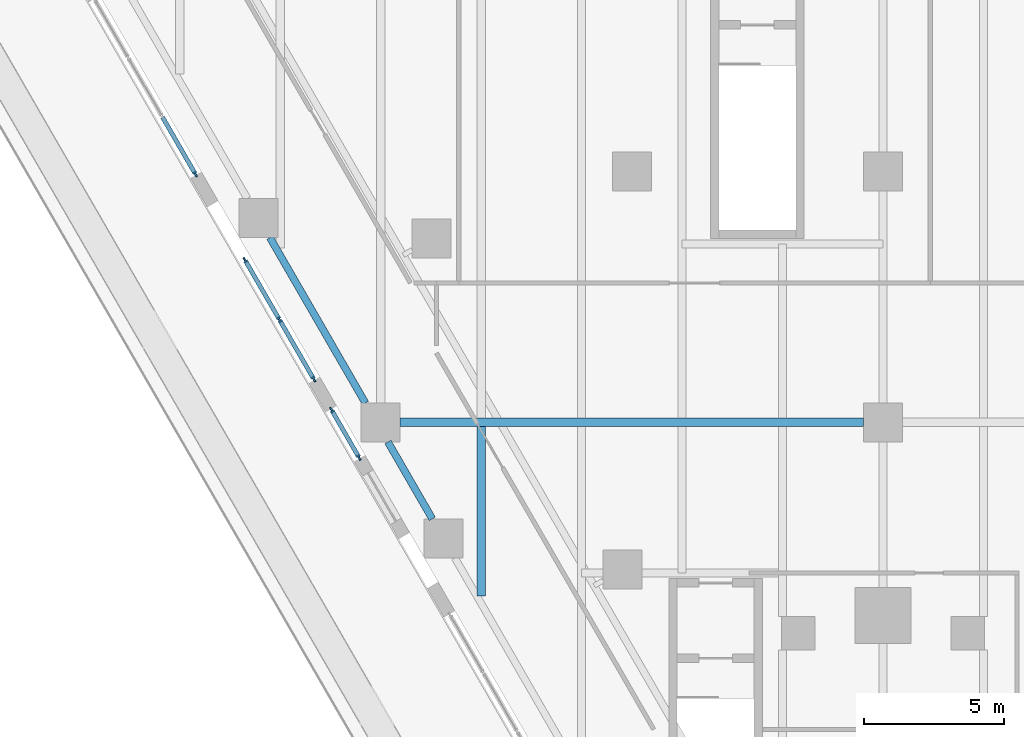
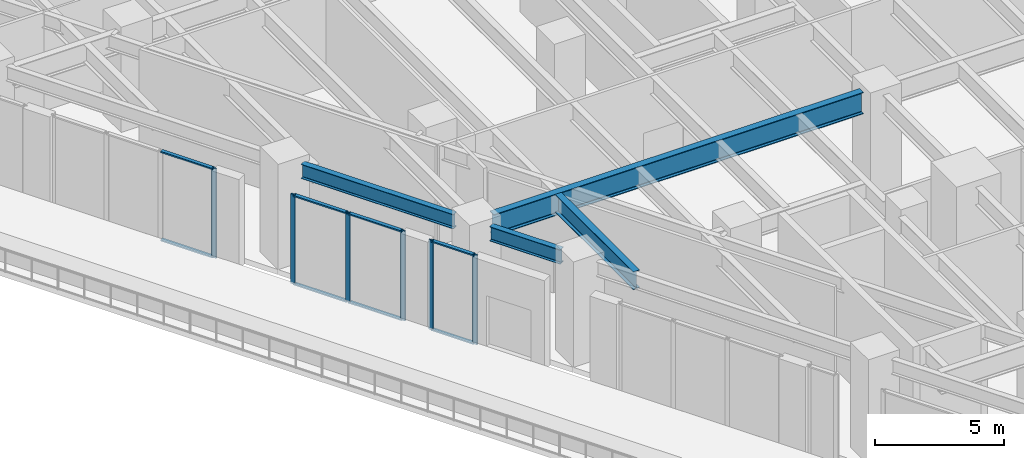
# One storey, part 4 of 31: 14 members, 4 beams, 3 elements without a shape of their own.
"""IFC4 building model written with IfcOpenShell, lengths in metres."""

from ifc_helpers import new_model, si_unit, direction, frame, origin, origin_2d, place, context, subcontext, project, spatial, rectangle, i_section, extrude, material, material_profile, profile_set, type_object, element, aggregate, save


model = new_model("IFC4")

# Units and contexts
model_context = context("Model", 3, precision=1e-05, world=origin(), true_north=direction((0.0, 1.0)))
body_context = subcontext(model_context, "Body", "Model", "MODEL_VIEW")
ifc_project = project(units=[si_unit("LENGTHUNIT", "METRE"), si_unit("AREAUNIT", "SQUARE_METRE"), si_unit("VOLUMEUNIT", "CUBIC_METRE"), si_unit("PLANEANGLEUNIT", "RADIAN"), si_unit("MASSUNIT", "GRAM", prefix="KILO")], contexts=[model_context])

# Site, building, storey
site_placement = place(None, origin())
site = spatial("IfcSite", under=ifc_project, at=site_placement, CompositionType="ELEMENT")
building_placement = place(site_placement, origin())
building = spatial("IfcBuilding", under=site, at=building_placement, Name="Aloe Facet Convention Tower", CompositionType="ELEMENT")
storey_placement = place(building_placement, frame((0.0, 0.0, 25.0)))
storey = spatial("IfcBuildingStorey", under=building, at=storey_placement, Name="L04", CompositionType="ELEMENT", Elevation=25.0)

# Curtain wall, member
ifc_material_1 = material(Name="Aluminium, anodised", Category="aluminium")
curtain_wall_type = type_object("IfcCurtainWallType", Name="EV-CW-HALL", PredefinedType="USERDEFINED", material=ifc_material_1)
curtain_wall_1_placement = place(storey_placement, origin())
curtain_wall_1 = element("IfcCurtainWall", 1, at=curtain_wall_1_placement, inside=storey, type_object=curtain_wall_type, Name="CW-L04-W06", ObjectType="UNITISED HALL GLAZING", PredefinedType="USERDEFINED")
ifc_material_2 = material(Name="Aluminium, anodised", Category="aluminium")
ifc_material_profile_1 = material_profile(ifc_material_2, rectangle(XDim=0.06494140625, YDim=0.199951171875, at=origin_2d()), Name="AL 65x200")
ifc_profile_set_1 = profile_set([ifc_material_profile_1], Name="Aluminium, anodised")
member_type_1 = type_object("IfcMemberType", Name="EV-MULL-HALL", PredefinedType="MULLION", material=ifc_profile_set_1)
member_1_placement = place(storey_placement, frame((55.36181640625, 107.895263671875, -0.25), z_axis=(0.0, 0.0, 1.0), x_axis=(0.866025403758, 0.500000000045, 0.0)))
member_1 = element("IfcMember", 2, at=member_1_placement, type_object=member_type_1, Name="CW-L04-W06 mullion 4", PredefinedType="MULLION", context=body_context, shape_type="SweptSolid", body=[
    extrude(rectangle(XDim=0.06494140625, YDim=0.199951171875, at=origin_2d()), origin(), (0.0, 0.0, 1.0), 4.262451171875),
])

# Curtain wall, members
curtain_wall_2_placement = place(storey_placement, origin())
curtain_wall_2 = element("IfcCurtainWall", 3, at=curtain_wall_2_placement, inside=storey, type_object=curtain_wall_type, Name="CW-L04-W08", ObjectType="UNITISED HALL GLAZING", PredefinedType="USERDEFINED")
member_2_placement = place(storey_placement, frame((57.135986328125, 104.822021484375, -0.25), z_axis=(0.0, 0.0, 1.0), x_axis=(0.866025403767, 0.50000000003, 0.0)))
member_2 = element("IfcMember", 4, at=member_2_placement, type_object=member_type_1, Name="CW-L04-W08 mullion 1", PredefinedType="MULLION", context=body_context, shape_type="SweptSolid", body=[
    extrude(rectangle(XDim=0.06494140625, YDim=0.199951171875, at=origin_2d()), origin(), (0.0, 0.0, 1.0), 4.262451171875),
])
member_3_placement = place(storey_placement, frame((58.37060546875, 102.683837890625, -0.25), z_axis=(0.0, 0.0, 1.0), x_axis=(0.866025403767, 0.50000000003, 0.0)))
member_3 = element("IfcMember", 5, at=member_3_placement, type_object=member_type_1, Name="CW-L04-W08 mullion 2", PredefinedType="MULLION", context=body_context, shape_type="SweptSolid", body=[
    extrude(rectangle(XDim=0.06494140625, YDim=0.199951171875, at=origin_2d()), origin(), (0.0, 0.0, 1.0), 4.262451171875),
])
member_4_placement = place(storey_placement, frame((59.605224609375, 100.54541015625, -0.25), z_axis=(0.0, 0.0, 1.0), x_axis=(0.866025403767, 0.50000000003, 0.0)))
member_4 = element("IfcMember", 6, at=member_4_placement, type_object=member_type_1, Name="CW-L04-W08 mullion 3", PredefinedType="MULLION", context=body_context, shape_type="SweptSolid", body=[
    extrude(rectangle(XDim=0.06494140625, YDim=0.199951171875, at=origin_2d()), origin(), (0.0, 0.0, 1.0), 4.262451171875),
])

curtain_wall_3_placement = place(storey_placement, origin())
curtain_wall_3 = element("IfcCurtainWall", 7, at=curtain_wall_3_placement, inside=storey, type_object=curtain_wall_type, Name="CW-L04-W10A", ObjectType="UNITISED HALL GLAZING", PredefinedType="USERDEFINED")
member_5_placement = place(storey_placement, frame((60.237548828125, 99.449951171875, -0.25), z_axis=(0.0, 0.0, 1.0), x_axis=(0.866025403854, 0.499999999879, 0.0)))
member_5 = element("IfcMember", 8, at=member_5_placement, type_object=member_type_1, Name="CW-L04-W10A mullion 1", PredefinedType="MULLION", context=body_context, shape_type="SweptSolid", body=[
    extrude(rectangle(XDim=0.06494140625, YDim=0.199951171875, at=origin_2d()), origin(), (0.0, 0.0, 1.0), 4.262451171875),
])
member_6_placement = place(storey_placement, frame((61.226806640625, 97.736572265625, -0.25), z_axis=(0.0, 0.0, 1.0), x_axis=(0.866025403854, 0.499999999879, 0.0)))
member_6 = element("IfcMember", 9, at=member_6_placement, type_object=member_type_1, Name="CW-L04-W10A mullion 2", PredefinedType="MULLION", context=body_context, shape_type="SweptSolid", body=[
    extrude(rectangle(XDim=0.06494140625, YDim=0.199951171875, at=origin_2d()), origin(), (0.0, 0.0, 1.0), 4.262451171875),
])

# Member
ifc_material_3 = material(Name="Aluminium, anodised", Category="aluminium")
ifc_material_profile_2 = material_profile(ifc_material_3, rectangle(XDim=0.159912109375, YDim=0.06494140625, at=origin_2d()), Name="AL 160x65")
ifc_profile_set_2 = profile_set([ifc_material_profile_2], Name="Aluminium, anodised")
member_type_2 = type_object("IfcMemberType", Name="EV-TRAN-HALL", PredefinedType="USERDEFINED", material=ifc_profile_set_2)
member_7_placement = place(storey_placement, frame((54.1796875, 109.9423828125, -0.217529296875), z_axis=(0.500024603663, -0.866011198387, 0.0), x_axis=(0.866011198387, 0.500024603663, 0.0)))
member_7 = element("IfcMember", 10, at=member_7_placement, type_object=member_type_2, Name="CW-L04-W06 transom 3.1", ObjectType="TRANSOM", PredefinedType="USERDEFINED", context=body_context, shape_type="SweptSolid", body=[
    extrude(rectangle(XDim=0.159912109375, YDim=0.06494140625, at=origin_2d()), origin(), (0.0, 0.0, 1.0), 2.33154296875),
])

member_8_placement = place(storey_placement, frame((54.1796875, 109.9423828125, 3.97998046875), z_axis=(0.500024603663, -0.866011198387, 0.0), x_axis=(0.866011198387, 0.500024603663, 0.0)))
member_8 = element("IfcMember", 11, at=member_8_placement, type_object=member_type_2, Name="CW-L04-W06 transom 3.2", ObjectType="TRANSOM", PredefinedType="USERDEFINED", context=body_context, shape_type="SweptSolid", body=[
    extrude(rectangle(XDim=0.159912109375, YDim=0.06494140625, at=origin_2d()), origin(), (0.0, 0.0, 1.0), 2.33154296875),
])

aggregate(curtain_wall_1, [member_1, member_7, member_8])

member_9_placement = place(storey_placement, frame((57.15234375, 104.7939453125, -0.217529296875), z_axis=(0.499951017432, -0.866053682036, 0.0), x_axis=(0.866053682036, 0.499951017432, 0.0)))
member_9 = element("IfcMember", 12, at=member_9_placement, type_object=member_type_2, Name="CW-L04-W08 transom 1.1", ObjectType="TRANSOM", PredefinedType="USERDEFINED", context=body_context, shape_type="SweptSolid", body=[
    extrude(rectangle(XDim=0.159912109375, YDim=0.06494140625, at=origin_2d()), origin(), (0.0, 0.0, 1.0), 2.404052734375),
])

member_10_placement = place(storey_placement, frame((57.15234375, 104.7939453125, 3.97998046875), z_axis=(0.499951017432, -0.866053682036, 0.0), x_axis=(0.866053682036, 0.499951017432, 0.0)))
member_10 = element("IfcMember", 13, at=member_10_placement, type_object=member_type_2, Name="CW-L04-W08 transom 1.2", ObjectType="TRANSOM", PredefinedType="USERDEFINED", context=body_context, shape_type="SweptSolid", body=[
    extrude(rectangle(XDim=0.159912109375, YDim=0.06494140625, at=origin_2d()), origin(), (0.0, 0.0, 1.0), 2.404052734375),
])

member_11_placement = place(storey_placement, frame((58.38671875, 102.65576171875, -0.217529296875), z_axis=(0.500027182209, -0.86600970956, 0.0), x_axis=(0.86600970956, 0.500027182209, 0.0)))
member_11 = element("IfcMember", 14, at=member_11_placement, type_object=member_type_2, Name="CW-L04-W08 transom 2.1", ObjectType="TRANSOM", PredefinedType="USERDEFINED", context=body_context, shape_type="SweptSolid", body=[
    extrude(rectangle(XDim=0.159912109375, YDim=0.06494140625, at=origin_2d()), origin(), (0.0, 0.0, 1.0), 2.404052734375),
])

member_12_placement = place(storey_placement, frame((58.38671875, 102.65576171875, 3.97998046875), z_axis=(0.500027182209, -0.86600970956, 0.0), x_axis=(0.86600970956, 0.500027182209, 0.0)))
member_12 = element("IfcMember", 15, at=member_12_placement, type_object=member_type_2, Name="CW-L04-W08 transom 2.2", ObjectType="TRANSOM", PredefinedType="USERDEFINED", context=body_context, shape_type="SweptSolid", body=[
    extrude(rectangle(XDim=0.159912109375, YDim=0.06494140625, at=origin_2d()), origin(), (0.0, 0.0, 1.0), 2.404052734375),
])

aggregate(curtain_wall_2, [member_2, member_3, member_4, member_9, member_10, member_11, member_12])

member_13_placement = place(storey_placement, frame((60.25390625, 99.421875, -0.217529296875), z_axis=(0.499954417993, -0.866051718969, 0.0), x_axis=(0.866051718969, 0.499954417993, 0.0)))
member_13 = element("IfcMember", 16, at=member_13_placement, type_object=member_type_2, Name="CW-L04-W10A transom 1.1", ObjectType="TRANSOM", PredefinedType="USERDEFINED", context=body_context, shape_type="SweptSolid", body=[
    extrude(rectangle(XDim=0.159912109375, YDim=0.06494140625, at=origin_2d()), origin(), (0.0, 0.0, 1.0), 1.913330078125),
])

member_14_placement = place(storey_placement, frame((60.25390625, 99.421875, 3.97998046875), z_axis=(0.499954417993, -0.866051718969, 0.0), x_axis=(0.866051718969, 0.499954417993, 0.0)))
member_14 = element("IfcMember", 17, at=member_14_placement, type_object=member_type_2, Name="CW-L04-W10A transom 1.2", ObjectType="TRANSOM", PredefinedType="USERDEFINED", context=body_context, shape_type="SweptSolid", body=[
    extrude(rectangle(XDim=0.159912109375, YDim=0.06494140625, at=origin_2d()), origin(), (0.0, 0.0, 1.0), 1.913330078125),
])

aggregate(curtain_wall_3, [member_5, member_6, member_13, member_14])

# Beams
ifc_material_4 = material(Name="Steel S355", Category="steel")
ifc_material_profile_3 = material_profile(ifc_material_4, i_section(OverallWidth=0.305419921875, OverallDepth=1.02587890625, WebThickness=0.02001953125, FlangeThickness=0.031005859375, FilletRadius=0.030029296875, at=origin_2d()), Name="UB 1016x305x349")
ifc_profile_set_3 = profile_set([ifc_material_profile_3], Name="Steel S355")
beam_type_1 = type_object("IfcBeamType", Name="SF-B-UB1016x305x349", PredefinedType="BEAM", material=ifc_profile_set_3)
beam_1_placement = place(storey_placement, frame((62.699951171875, 99.0, 4.18701171875), z_axis=(1.0, 0.0, 0.0), x_axis=(0.0, 1.0, 0.0)))
element("IfcBeam", 18, at=beam_1_placement, inside=storey, type_object=beam_type_1, Name="Floor beam FB-L05-022", PredefinedType="BEAM", context=body_context, shape_type="SweptSolid", body=[
    extrude(i_section(OverallWidth=0.305419921875, OverallDepth=1.02587890625, WebThickness=0.02001953125, FlangeThickness=0.031005859375, FilletRadius=0.030029296875, at=origin_2d()), origin(), (0.0, 0.0, 1.0), 16.60009765625),
])
ifc_material_5 = material(Name="Steel S355", Category="steel")
ifc_material_profile_4 = material_profile(ifc_material_5, i_section(OverallWidth=0.25439453125, OverallDepth=0.6875, WebThickness=0.01318359375, FlangeThickness=0.02099609375, FilletRadius=0.01513671875, at=origin_2d()), Name="UB 686x254x152")
ifc_profile_set_4 = profile_set([ifc_material_profile_4], Name="Steel S355")
beam_type_2 = type_object("IfcBeamType", Name="SF-B-UB686x254x152", PredefinedType="BEAM", material=ifc_profile_set_4)
beam_2_placement = place(storey_placement, frame((61.449951171875, 99.699951171875, 4.356201171875), z_axis=(-0.499980899108, 0.866036431408, 0.0), x_axis=(-0.866036431408, -0.499980899108, 0.0)))
element("IfcBeam", 19, at=beam_2_placement, inside=storey, type_object=beam_type_2, Name="Floor beam FB-L05-006", PredefinedType="BEAM", context=body_context, shape_type="SweptSolid", body=[
    extrude(i_section(OverallWidth=0.25439453125, OverallDepth=0.6875, WebThickness=0.01318359375, FlangeThickness=0.02099609375, FilletRadius=0.01513671875, at=origin_2d()), origin(), (0.0, 0.0, 1.0), 6.841552734375),
])
beam_3_placement = place(storey_placement, frame((63.848876953125, 95.544921875, 4.356201171875), z_axis=(-0.499977104415, 0.866038622153, 0.0), x_axis=(-0.866038622153, -0.499977104415, 0.0)))
element("IfcBeam", 20, at=beam_3_placement, inside=storey, type_object=beam_type_2, Name="Floor beam FB-L05-007", PredefinedType="BEAM", context=body_context, shape_type="SweptSolid", body=[
    extrude(i_section(OverallWidth=0.25439453125, OverallDepth=0.6875, WebThickness=0.01318359375, FlangeThickness=0.02099609375, FilletRadius=0.01513671875, at=origin_2d()), origin(), (0.0, 0.0, 1.0), 3.181396484375),
])
ifc_material_6 = material(Name="Steel S355", Category="steel")
ifc_material_profile_5 = material_profile(ifc_material_6, i_section(OverallWidth=0.293701171875, OverallDepth=0.850830078125, WebThickness=0.01611328125, FlangeThickness=0.02685546875, FilletRadius=0.017822265625, at=origin_2d()), Name="UB 838x292x226")
ifc_profile_set_5 = profile_set([ifc_material_profile_5], Name="Steel S355")
beam_type_3 = type_object("IfcBeamType", Name="SF-B-UB838x292x226", PredefinedType="BEAM", material=ifc_profile_set_5)
beam_4_placement = place(storey_placement, frame((65.60009765625, 92.776611328125, 4.2744140625), z_axis=(0.0, 1.0, 0.0), x_axis=(-1.0, 0.0, 0.0)))
element("IfcBeam", 21, at=beam_4_placement, inside=storey, type_object=beam_type_3, Name="Floor beam FB-L05-037", PredefinedType="BEAM", context=body_context, shape_type="SweptSolid", body=[
    extrude(i_section(OverallWidth=0.293701171875, OverallDepth=0.850830078125, WebThickness=0.01611328125, FlangeThickness=0.02685546875, FilletRadius=0.017822265625, at=origin_2d()), origin(), (0.0, 0.0, 1.0), 6.07080078125),
])

save(model, "model.ifc")
